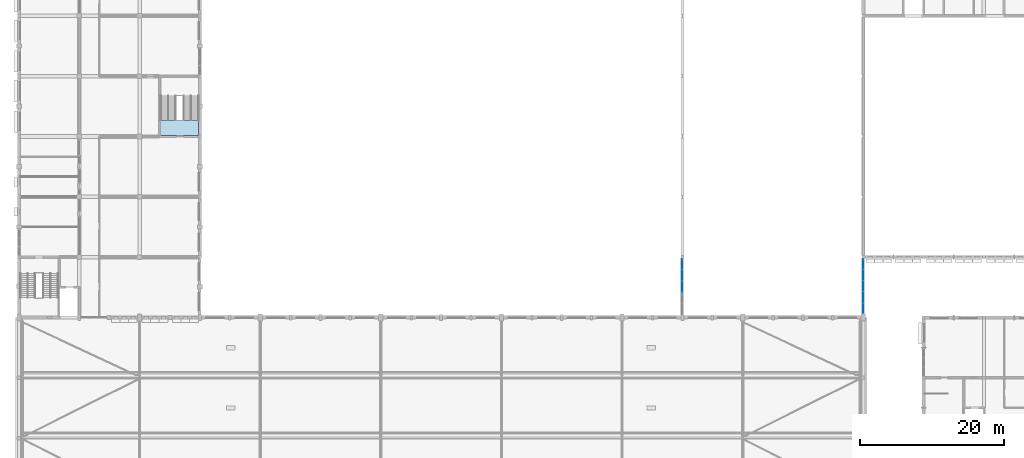
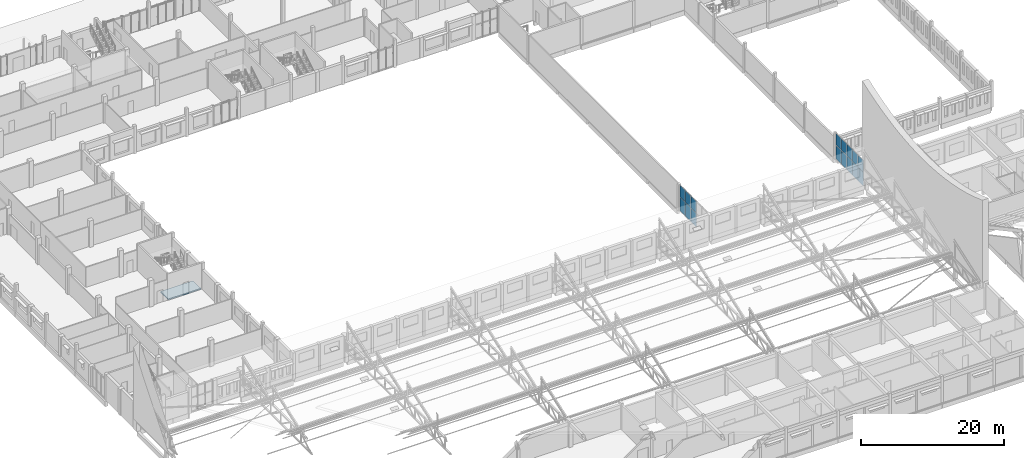
# One storey, part 64 of 101: 16 plates, 1 slab, 3 elements without a shape of their own.
"""IFC4 building model written with IfcOpenShell, lengths in metres."""

import ifcopenshell
import ifcopenshell.guid

model = None  # the IFC model being written
_history = None  # IfcOwnerHistory: only IFC2X3 demands one
_inside = {}  # id of a spatial element -> (the spatial element, [elements in it])
_under = {}  # id of a project, library or spatial element -> (it, [spatial elements below it])
_declared = {}  # id of a project -> (the project, [libraries it declares])
_typed = {}  # id of a type object -> (the type object, [elements of that type])
_made_of = {}  # id of a material, layer set ... -> (it, [elements and type objects made of it])


def new_model(schema):
    """Start an empty IFC model of exactly this schema.

    Asked for "IFC4X3", IfcOpenShell would pick the latest addendum, in which some entities
    have other attributes; the version numbers below select the first issue.
    IFC2X3 requires an IfcOwnerHistory on every rooted entity: one is made here for all.
    """
    global model, _history
    if schema == "IFC4X3":
        model = ifcopenshell.file(schema_version=(4, 3, 0, 0))
    else:
        model = ifcopenshell.file(schema=schema)
    _inside.clear()
    _under.clear()
    _declared.clear()
    _typed.clear()
    _made_of.clear()
    _history = None
    if model.schema == "IFC2X3":
        org = make("IfcOrganization", Name="unknown")
        user = make(
            "IfcPersonAndOrganization",
            ThePerson=make("IfcPerson", FamilyName="unknown"),
            TheOrganization=org,
        )
        app = make(
            "IfcApplication",
            ApplicationDeveloper=org,
            Version="unknown",
            ApplicationFullName="unknown",
            ApplicationIdentifier="unknown",
        )
        _history = make(
            "IfcOwnerHistory",
            OwningUser=user,
            OwningApplication=app,
            ChangeAction="ADDED",
            CreationDate=0,
        )
    return model


def make(cls, **values):
    """One entity of the class cls with the attributes given. An attribute that is None is left unset."""
    return model.create_entity(
        cls, **{name: value for name, value in values.items() if value is not None}
    )


def rooted(cls, **values):
    """An entity with a GlobalId (a new one), such as an element, a storey or a relation."""
    return make(cls, GlobalId=ifcopenshell.guid.new(), OwnerHistory=_history, **values)


def si_unit(unit_type, name, prefix=None):
    """IfcSIUnit, for example si_unit("LENGTHUNIT", "METRE", prefix="MILLI")."""
    return make("IfcSIUnit", UnitType=unit_type, Prefix=prefix, Name=name)


def assignment(units):
    """IfcUnitAssignment: the units of a project."""
    return None if units is None else make("IfcUnitAssignment", Units=units)


def point(xyz):
    """IfcCartesianPoint."""
    return None if xyz is None else make("IfcCartesianPoint", Coordinates=xyz)


def direction(xyz):
    """IfcDirection."""
    return None if xyz is None else make("IfcDirection", DirectionRatios=xyz)


def frame(location, z_axis=None, x_axis=None):
    """IfcAxis2Placement3D, a coordinate frame: its origin and axes. An axis left out is left unset."""
    return make(
        "IfcAxis2Placement3D",
        Location=point(location),
        Axis=direction(z_axis),
        RefDirection=direction(x_axis),
    )


def frame_2d(location, x_axis=None):
    """IfcAxis2Placement2D, a coordinate frame in the plane: its origin and x axis."""
    return make(
        "IfcAxis2Placement2D", Location=point(location), RefDirection=direction(x_axis)
    )


def origin():
    """The frame at (0, 0, 0) with its axes left unset."""
    return frame((0.0, 0.0, 0.0))


def origin_2d():
    """The frame at (0, 0) in the plane with its x axis left unset."""
    return frame_2d((0.0, 0.0))


def place(relative_to, where):
    """IfcLocalPlacement: puts the frame where relative to a parent placement (None: the world)."""
    return make(
        "IfcLocalPlacement", PlacementRelTo=relative_to, RelativePlacement=where
    )


def context(
    kind, dimensions, precision=None, world=None, true_north=None, identifier=None
):
    """IfcGeometricRepresentationContext, for example the 3D "Model" context."""
    return make(
        "IfcGeometricRepresentationContext",
        ContextIdentifier=identifier,
        ContextType=kind,
        CoordinateSpaceDimension=dimensions,
        Precision=precision,
        WorldCoordinateSystem=world,
        TrueNorth=true_north,
    )


def subcontext(parent, identifier, kind, view, scale=None):
    """IfcGeometricRepresentationSubContext, for example "Body" below "Model"."""
    return make(
        "IfcGeometricRepresentationSubContext",
        ContextIdentifier=identifier,
        ContextType=kind,
        ParentContext=parent,
        TargetScale=scale,
        TargetView=view,
    )


def project(units=None, contexts=None):
    """IfcProject with its units and contexts."""
    return rooted(
        "IfcProject",
        Name="project",
        RepresentationContexts=contexts,
        UnitsInContext=assignment(units),
    )


def spatial(cls, under=None, at=None, **own):
    """A site, building, storey or space (cls), placed at a placement, below another one or the project."""
    s = rooted(cls, ObjectPlacement=at, **own)
    if under is not None:
        _under.setdefault(under.id(), (under, []))[1].append(s)
    return s


def polyline(points):
    """IfcPolyline through the points."""
    return make("IfcPolyline", Points=[point(p) for p in points])


def profile(cls, at=None, kind="AREA", **sizes):
    """A parametric profile (cls). Its sizes go by their IFC names, for example OverallWidth=200.0."""
    return make(cls, ProfileType=kind, Position=at, **sizes)


def rectangle(**sizes):
    """IfcRectangleProfileDef."""
    return profile("IfcRectangleProfileDef", **sizes)


def outline(outer, holes=None, kind="AREA"):
    """IfcArbitraryClosedProfileDef: a profile drawn as a closed curve; with holes, ...WithVoids."""
    if holes is None:
        return make("IfcArbitraryClosedProfileDef", ProfileType=kind, OuterCurve=outer)
    return make(
        "IfcArbitraryProfileDefWithVoids",
        ProfileType=kind,
        OuterCurve=outer,
        InnerCurves=holes,
    )


def extrude(swept, where, along, depth):
    """IfcExtrudedAreaSolid: the profile swept, set in the frame where, extruded along a direction by depth."""
    return make(
        "IfcExtrudedAreaSolid",
        SweptArea=swept,
        Position=where,
        ExtrudedDirection=direction(along),
        Depth=depth,
    )


def shape(context_of_items, identifier, shape_type, items):
    """IfcShapeRepresentation: the items that make up one representation, for example the "Body"."""
    return make(
        "IfcShapeRepresentation",
        ContextOfItems=context_of_items,
        RepresentationIdentifier=identifier,
        RepresentationType=shape_type,
        Items=items,
    )


def material(Name=None, Category=None):
    """IfcMaterial."""
    return make("IfcMaterial", Name=Name, Category=Category)


def layer(
    of_material, thickness, ventilated=None, Name=None, Category=None, Priority=None
):
    """IfcMaterialLayer: one layer of a wall or slab, of a material (None: an air gap)."""
    return make(
        "IfcMaterialLayer",
        Material=of_material,
        LayerThickness=thickness,
        IsVentilated=ventilated,
        Name=Name,
        Category=Category,
        Priority=Priority,
    )


def layer_set(layers, Name=None):
    """IfcMaterialLayerSet."""
    return make("IfcMaterialLayerSet", MaterialLayers=layers, LayerSetName=Name)


def made_of(thing, what):
    """Note that an element or type object is made of a material, layer set ...; save() writes the relation."""
    if what is not None:
        _made_of.setdefault(what.id(), (what, []))[1].append(thing)
    return thing


def type_object(cls, material=None, **own):
    """A type object (cls), such as IfcWallType, which elements share."""
    return made_of(rooted(cls, **own), material)


def element(
    cls,
    number,
    at=None,
    inside=None,
    cuts=None,
    type_object=None,
    material=None,
    context=None,
    identifier="Body",
    shape_type=None,
    held_by="IfcProductDefinitionShape",
    body=None,
    shapes=None,
    **own,
):
    """One element of the class cls, such as IfcWall. Its Tag is "e" and its number.

    at: its placement. inside: the storey or other place that contains it. cuts: it is an
    opening in that element (IfcRelVoidsElement). A single representation is given by context,
    identifier, shape_type and body (its items); several are given by shapes. held_by: the class
    of the entity that holds the representations. save() writes the other relations.
    """
    e = rooted(cls, Tag="e%d" % number, ObjectPlacement=at, **own)
    if body is not None:
        shapes = [shape(context, identifier, shape_type, body)]
    if shapes is not None:
        e.Representation = make(held_by, Representations=shapes)
    if inside is not None:
        _inside.setdefault(inside.id(), (inside, []))[1].append(e)
    if cuts is not None:
        rooted(
            "IfcRelVoidsElement", RelatingBuildingElement=cuts, RelatedOpeningElement=e
        )
    if type_object is not None:
        _typed.setdefault(type_object.id(), (type_object, []))[1].append(e)
    return made_of(e, material)


def aggregate(whole, parts):
    """IfcRelAggregates: a whole, such as a stair, and the parts it consists of."""
    return rooted("IfcRelAggregates", RelatingObject=whole, RelatedObjects=parts)


def save(model, path):
    """Write the relations noted so far, then the file.

    IfcRelAggregates (storeys below a building ...), IfcRelContainedInSpatialStructure (elements
    in a storey), IfcRelDefinesByType, IfcRelAssociatesMaterial and IfcRelDeclares: one each for
    every whole, place, type object, material and project.
    """
    for whole, parts in _under.values():
        aggregate(whole, parts)
    for where, things in _inside.values():
        rooted(
            "IfcRelContainedInSpatialStructure",
            RelatedElements=things,
            RelatingStructure=where,
        )
    for kind, things in _typed.values():
        rooted("IfcRelDefinesByType", RelatedObjects=things, RelatingType=kind)
    for what, things in _made_of.values():
        rooted("IfcRelAssociatesMaterial", RelatedObjects=things, RelatingMaterial=what)
    for by, libraries in _declared.values():
        rooted("IfcRelDeclares", RelatingContext=by, RelatedDefinitions=libraries)
    model.write(path)


model = new_model("IFC4")

# Units and contexts
model_context = context("Model", 3, precision=1e-05, world=origin(), true_north=direction((0.0, 1.0)))
body_context = subcontext(model_context, "Body", "Model", "MODEL_VIEW")
ifc_project = project(units=[si_unit("LENGTHUNIT", "METRE"), si_unit("AREAUNIT", "SQUARE_METRE"), si_unit("VOLUMEUNIT", "CUBIC_METRE"), si_unit("PLANEANGLEUNIT", "RADIAN"), si_unit("MASSUNIT", "GRAM", prefix="KILO")], contexts=[model_context])

# Site, building, storey
site_placement = place(None, origin())
site = spatial("IfcSite", under=ifc_project, at=site_placement, CompositionType="ELEMENT")
building_placement = place(site_placement, origin())
building = spatial("IfcBuilding", under=site, at=building_placement, Name="Fescue Hill Polytechnic", CompositionType="ELEMENT")
storey_placement = place(building_placement, frame((0.0, 0.0, 9.0)))
storey = spatial("IfcBuildingStorey", under=building, at=storey_placement, Name="L02", CompositionType="ELEMENT", Elevation=9.0)

# Curtain wall, plates
ifc_material_1 = material(Name="Glass", Category="glass")
curtain_wall_type = type_object("IfcCurtainWallType", Name="Curtain wall structural glazing", PredefinedType="NOTDEFINED", material=ifc_material_1)
curtain_wall_1_placement = place(storey_placement, origin())
curtain_wall_1 = element("IfcCurtainWall", 1, at=curtain_wall_1_placement, inside=storey, type_object=curtain_wall_type, Name="CW-L02-V6-1", PredefinedType="NOTDEFINED")
ifc_layer_1 = layer(ifc_material_1, 0.028076171875)
ifc_layer_set_1 = layer_set([ifc_layer_1], Name="Glass")
plate_type = type_object("IfcPlateType", Name="Panel glazing 28", PredefinedType="CURTAIN_PANEL", material=ifc_layer_set_1)
plate_1_placement = place(storey_placement, frame((92.39990234375, 57.804931640625, 0.06005859375), z_axis=(0.0, 0.0, 1.0), x_axis=(0.0, -1.0, 0.0)))
plate_1 = element("IfcPlate", 2, at=plate_1_placement, type_object=plate_type, Name="CW70 panel 1.1", PredefinedType="CURTAIN_PANEL", context=body_context, shape_type="SweptSolid", body=[
    extrude(rectangle(XDim=1.469970703125, YDim=0.028076171875, at=origin_2d()), origin(), (0.0, 0.0, 1.0), 2.31005859375),
])
plate_2_placement = place(storey_placement, frame((92.39990234375, 57.804931640625, 2.43017578125), z_axis=(0.0, 0.0, 1.0), x_axis=(0.0, -1.0, 0.0)))
plate_2 = element("IfcPlate", 3, at=plate_2_placement, type_object=plate_type, Name="CW70 panel 1.2", PredefinedType="CURTAIN_PANEL", context=body_context, shape_type="SweptSolid", body=[
    extrude(rectangle(XDim=1.469970703125, YDim=0.028076171875, at=origin_2d()), origin(), (0.0, 0.0, 1.0), 1.989990234375),
])
plate_3_placement = place(storey_placement, frame((92.39990234375, 56.260009765625, 0.06005859375), z_axis=(0.0, 0.0, 1.0), x_axis=(0.0, -1.0, 0.0)))
plate_3 = element("IfcPlate", 4, at=plate_3_placement, type_object=plate_type, Name="CW70 panel 2.1", PredefinedType="CURTAIN_PANEL", context=body_context, shape_type="SweptSolid", body=[
    extrude(rectangle(XDim=1.5, YDim=0.028076171875, at=origin_2d()), origin(), (0.0, 0.0, 1.0), 2.31005859375),
])
plate_4_placement = place(storey_placement, frame((92.39990234375, 56.260009765625, 2.43017578125), z_axis=(0.0, 0.0, 1.0), x_axis=(0.0, -1.0, 0.0)))
plate_4 = element("IfcPlate", 5, at=plate_4_placement, type_object=plate_type, Name="CW70 panel 2.2", PredefinedType="CURTAIN_PANEL", context=body_context, shape_type="SweptSolid", body=[
    extrude(rectangle(XDim=1.5, YDim=0.028076171875, at=origin_2d()), origin(), (0.0, 0.0, 1.0), 1.989990234375),
])
plate_5_placement = place(storey_placement, frame((92.39990234375, 54.699951171875, 0.06005859375), z_axis=(0.0, 0.0, 1.0), x_axis=(0.0, -1.0, 0.0)))
plate_5 = element("IfcPlate", 6, at=plate_5_placement, type_object=plate_type, Name="CW70 panel 3.1", PredefinedType="CURTAIN_PANEL", context=body_context, shape_type="SweptSolid", body=[
    extrude(rectangle(XDim=1.5, YDim=0.028076171875, at=origin_2d()), origin(), (0.0, 0.0, 1.0), 2.31005859375),
])
plate_6_placement = place(storey_placement, frame((92.39990234375, 54.699951171875, 2.43017578125), z_axis=(0.0, 0.0, 1.0), x_axis=(0.0, -1.0, 0.0)))
plate_6 = element("IfcPlate", 7, at=plate_6_placement, type_object=plate_type, Name="CW70 panel 3.2", PredefinedType="CURTAIN_PANEL", context=body_context, shape_type="SweptSolid", body=[
    extrude(rectangle(XDim=1.5, YDim=0.028076171875, at=origin_2d()), origin(), (0.0, 0.0, 1.0), 1.989990234375),
])
aggregate(curtain_wall_1, [plate_1, plate_2, plate_3, plate_4, plate_5, plate_6])

curtain_wall_2_placement = place(storey_placement, origin())
curtain_wall_2 = element("IfcCurtainWall", 8, at=curtain_wall_2_placement, inside=storey, type_object=curtain_wall_type, Name="CW-L02-V6-2", PredefinedType="NOTDEFINED")
plate_7_placement = place(storey_placement, frame((117.60009765625, 51.68505859375, 0.06005859375), z_axis=(0.0, 0.0, 1.0), x_axis=(0.0, 1.0, 0.0)))
plate_7 = element("IfcPlate", 9, at=plate_7_placement, type_object=plate_type, Name="CW71 panel 1.1", PredefinedType="CURTAIN_PANEL", context=body_context, shape_type="SweptSolid", body=[
    extrude(rectangle(XDim=1.449951171875, YDim=0.028076171875, at=origin_2d()), origin(), (0.0, 0.0, 1.0), 2.31005859375),
])
plate_8_placement = place(storey_placement, frame((117.60009765625, 51.68505859375, 2.43017578125), z_axis=(0.0, 0.0, 1.0), x_axis=(0.0, 1.0, 0.0)))
plate_8 = element("IfcPlate", 10, at=plate_8_placement, type_object=plate_type, Name="CW71 panel 1.2", PredefinedType="CURTAIN_PANEL", context=body_context, shape_type="SweptSolid", body=[
    extrude(rectangle(XDim=1.449951171875, YDim=0.028076171875, at=origin_2d()), origin(), (0.0, 0.0, 1.0), 1.989990234375),
])
plate_9_placement = place(storey_placement, frame((117.60009765625, 53.2099609375, 0.06005859375), z_axis=(0.0, 0.0, 1.0), x_axis=(0.0, 1.0, 0.0)))
plate_9 = element("IfcPlate", 11, at=plate_9_placement, type_object=plate_type, Name="CW71 panel 2.1", PredefinedType="CURTAIN_PANEL", context=body_context, shape_type="SweptSolid", body=[
    extrude(rectangle(XDim=1.47998046875, YDim=0.028076171875, at=origin_2d()), origin(), (0.0, 0.0, 1.0), 2.31005859375),
])
plate_10_placement = place(storey_placement, frame((117.60009765625, 53.2099609375, 2.43017578125), z_axis=(0.0, 0.0, 1.0), x_axis=(0.0, 1.0, 0.0)))
plate_10 = element("IfcPlate", 12, at=plate_10_placement, type_object=plate_type, Name="CW71 panel 2.2", PredefinedType="CURTAIN_PANEL", context=body_context, shape_type="SweptSolid", body=[
    extrude(rectangle(XDim=1.47998046875, YDim=0.028076171875, at=origin_2d()), origin(), (0.0, 0.0, 1.0), 1.989990234375),
])
plate_11_placement = place(storey_placement, frame((117.60009765625, 54.75, 0.06005859375), z_axis=(0.0, 0.0, 1.0), x_axis=(0.0, 1.0, 0.0)))
plate_11 = element("IfcPlate", 13, at=plate_11_placement, type_object=plate_type, Name="CW71 panel 3.1", PredefinedType="CURTAIN_PANEL", context=body_context, shape_type="SweptSolid", body=[
    extrude(rectangle(XDim=1.47998046875, YDim=0.028076171875, at=origin_2d()), origin(), (0.0, 0.0, 1.0), 2.31005859375),
])
plate_12_placement = place(storey_placement, frame((117.60009765625, 54.75, 2.43017578125), z_axis=(0.0, 0.0, 1.0), x_axis=(0.0, 1.0, 0.0)))
plate_12 = element("IfcPlate", 14, at=plate_12_placement, type_object=plate_type, Name="CW71 panel 3.2", PredefinedType="CURTAIN_PANEL", context=body_context, shape_type="SweptSolid", body=[
    extrude(rectangle(XDim=1.47998046875, YDim=0.028076171875, at=origin_2d()), origin(), (0.0, 0.0, 1.0), 1.989990234375),
])
plate_13_placement = place(storey_placement, frame((117.60009765625, 56.2900390625, 0.06005859375), z_axis=(0.0, 0.0, 1.0), x_axis=(0.0, 1.0, 0.0)))
plate_13 = element("IfcPlate", 15, at=plate_13_placement, type_object=plate_type, Name="CW71 panel 4.1", PredefinedType="CURTAIN_PANEL", context=body_context, shape_type="SweptSolid", body=[
    extrude(rectangle(XDim=1.47998046875, YDim=0.028076171875, at=origin_2d()), origin(), (0.0, 0.0, 1.0), 2.31005859375),
])
plate_14_placement = place(storey_placement, frame((117.60009765625, 56.2900390625, 2.43017578125), z_axis=(0.0, 0.0, 1.0), x_axis=(0.0, 1.0, 0.0)))
plate_14 = element("IfcPlate", 16, at=plate_14_placement, type_object=plate_type, Name="CW71 panel 4.2", PredefinedType="CURTAIN_PANEL", context=body_context, shape_type="SweptSolid", body=[
    extrude(rectangle(XDim=1.47998046875, YDim=0.028076171875, at=origin_2d()), origin(), (0.0, 0.0, 1.0), 1.989990234375),
])
plate_15_placement = place(storey_placement, frame((117.60009765625, 57.81494140625, 0.06005859375), z_axis=(0.0, 0.0, 1.0), x_axis=(0.0, 1.0, 0.0)))
plate_15 = element("IfcPlate", 17, at=plate_15_placement, type_object=plate_type, Name="CW71 panel 5.1", PredefinedType="CURTAIN_PANEL", context=body_context, shape_type="SweptSolid", body=[
    extrude(rectangle(XDim=1.449951171875, YDim=0.028076171875, at=origin_2d()), origin(), (0.0, 0.0, 1.0), 2.31005859375),
])
plate_16_placement = place(storey_placement, frame((117.60009765625, 57.81494140625, 2.43017578125), z_axis=(0.0, 0.0, 1.0), x_axis=(0.0, 1.0, 0.0)))
plate_16 = element("IfcPlate", 18, at=plate_16_placement, type_object=plate_type, Name="CW71 panel 5.2", PredefinedType="CURTAIN_PANEL", context=body_context, shape_type="SweptSolid", body=[
    extrude(rectangle(XDim=1.449951171875, YDim=0.028076171875, at=origin_2d()), origin(), (0.0, 0.0, 1.0), 1.989990234375),
])
aggregate(curtain_wall_2, [plate_7, plate_8, plate_9, plate_10, plate_11, plate_12, plate_13, plate_14, plate_15, plate_16])

# Stair, slab
ifc_material_2 = material(Name="Concrete 35 MPa", Category="concrete")
stair_type = type_object("IfcStairType", Name="Half-turn stair 2150 flights", PredefinedType="HALF_TURN_STAIR", material=ifc_material_2)
stair_placement = place(storey_placement, origin())
stair = element("IfcStair", 19, at=stair_placement, inside=storey, type_object=stair_type, Name="L02 ST-V4-3 stair", PredefinedType="HALF_TURN_STAIR")
ifc_layer_2 = layer(ifc_material_2, 0.199951171875)
ifc_layer_set_2 = layer_set([ifc_layer_2], Name="Concrete 35 MPa")
slab_type = type_object("IfcSlabType", Name="Stair landing slab 200", PredefinedType="LANDING", material=ifc_layer_set_2)
slab_placement = place(storey_placement, frame((0.0, 0.0, -0.199951171875)))
slab = element("IfcSlab", 20, at=slab_placement, type_object=slab_type, Name="S17 landing 2", PredefinedType="LANDING", context=body_context, shape_type="SweptSolid", body=[
    extrude(outline(polyline([(19.72509765625, 75.72509765625), (24.97509765625, 75.72509765625), (24.97509765625, 77.875), (19.72509765625, 77.875), (19.72509765625, 75.72509765625)])), origin(), (0.0, 0.0, 1.0), 0.199951171875),
])
aggregate(stair, [slab])

save(model, "model.ifc")
